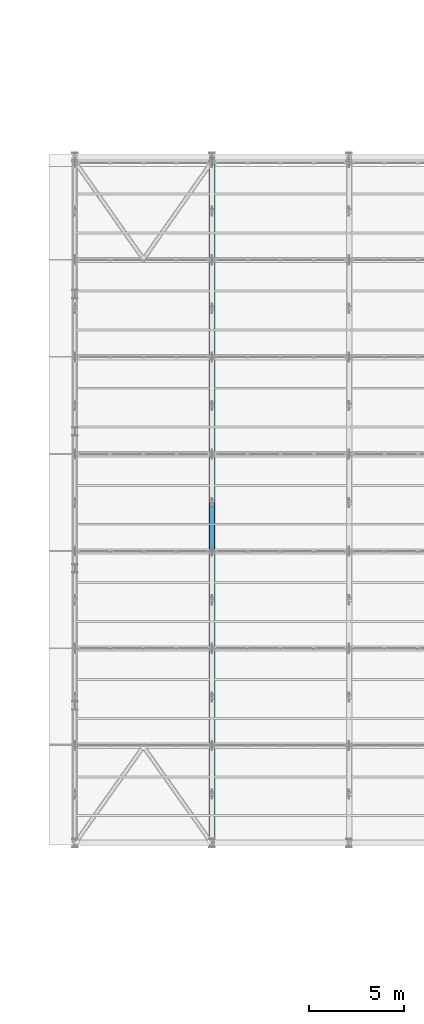
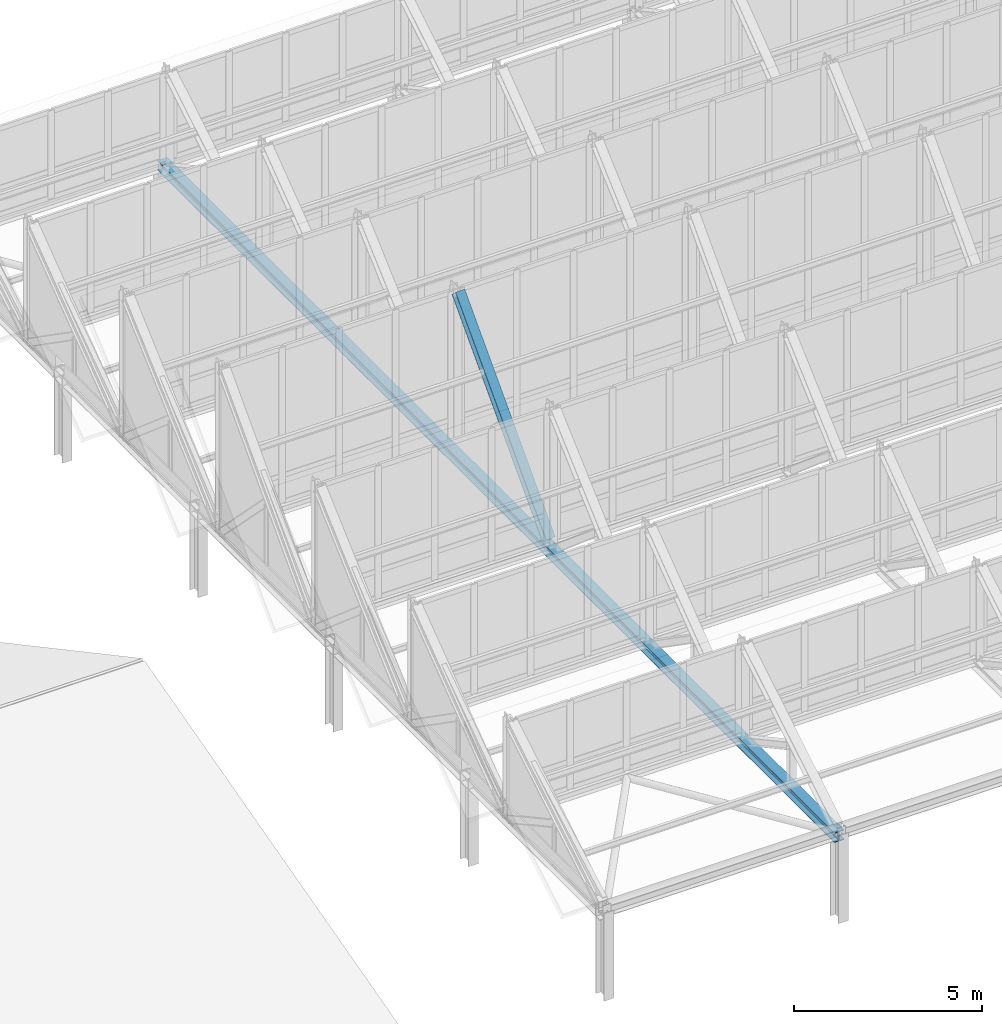
# One storey, part 43 of 157: 2 members.
"""IFC4 building model written with IfcOpenShell, lengths in metres."""

from ifc_helpers import new_model, si_unit, direction, frame, origin, origin_2d, place, context, subcontext, project, spatial, i_section, extrude, material, material_profile, profile_set, type_object, element, save


model = new_model("IFC4")

# Units and contexts
model_context = context("Model", 3, precision=1e-05, world=origin(), true_north=direction((0.0, 1.0)))
body_context = subcontext(model_context, "Body", "Model", "MODEL_VIEW")
ifc_project = project(units=[si_unit("LENGTHUNIT", "METRE"), si_unit("AREAUNIT", "SQUARE_METRE"), si_unit("VOLUMEUNIT", "CUBIC_METRE"), si_unit("PLANEANGLEUNIT", "RADIAN"), si_unit("MASSUNIT", "GRAM", prefix="KILO")], contexts=[model_context])

# Site, building, storey
site_placement = place(None, origin())
site = spatial("IfcSite", under=ifc_project, at=site_placement, CompositionType="ELEMENT")
building_placement = place(site_placement, origin())
building = spatial("IfcBuilding", under=site, at=building_placement, Name="Suanplinth Sawtooth Commons", CompositionType="ELEMENT")
storey_placement = place(building_placement, frame((0.0, 0.0, 9.0)))
storey = spatial("IfcBuildingStorey", under=building, at=storey_placement, Name="L02", CompositionType="ELEMENT", Elevation=9.0)

# Members
ifc_material = material(Name="Steel S355JR", Category="steel")
ifc_material_profile_1 = material_profile(ifc_material, i_section(OverallWidth=0.300048828125, OverallDepth=0.320068359375, WebThickness=0.011474609375, FlangeThickness=0.0205078125, at=origin_2d()), Name="HEB 320")
ifc_profile_set_1 = profile_set([ifc_material_profile_1], Name="Steel S355JR")
member_type_1 = type_object("IfcMemberType", Name="M-01", PredefinedType="CHORD", material=ifc_profile_set_1)
member_1_placement = place(storey_placement, frame((72.0, 50.39990234375, 2.64990234375), z_axis=(0.0, 1.0, 0.0), x_axis=(-1.0, 0.0, 0.0)))
element("IfcMember", 1, at=member_1_placement, inside=storey, type_object=member_type_1, Name="Sawtooth Truss T2 Bottom Chord", PredefinedType="CHORD", context=body_context, shape_type="SweptSolid", body=[
    extrude(i_section(OverallWidth=0.300048828125, OverallDepth=0.320068359375, WebThickness=0.011474609375, FlangeThickness=0.0205078125, at=origin_2d()), origin(), (0.0, 0.0, 1.0), 36.0),
])
ifc_material_profile_2 = material_profile(ifc_material, i_section(OverallWidth=0.280029296875, OverallDepth=0.280029296875, WebThickness=0.010498046875, FlangeThickness=0.01806640625, at=origin_2d()), Name="HEB 280")
ifc_profile_set_2 = profile_set([ifc_material_profile_2], Name="Steel S355JR")
member_type_2 = type_object("IfcMemberType", Name="M-02", PredefinedType="CHORD", material=ifc_profile_set_2)
member_2_placement = place(storey_placement, frame((72.0, 65.840087890625, 2.919921875), z_axis=(0.0, 0.685431841642, 0.728136793785), x_axis=(-1.0, 0.0, 0.0)))
element("IfcMember", 2, at=member_2_placement, inside=storey, type_object=member_type_2, Name="Sawtooth Truss T2 Top Chord 4", PredefinedType="CHORD", context=body_context, shape_type="SweptSolid", body=[
    extrude(i_section(OverallWidth=0.280029296875, OverallDepth=0.280029296875, WebThickness=0.010498046875, FlangeThickness=0.01806640625, at=origin_2d()), origin(), (0.0, 0.0, 1.0), 7.03173828125),
])

save(model, "model.ifc")
